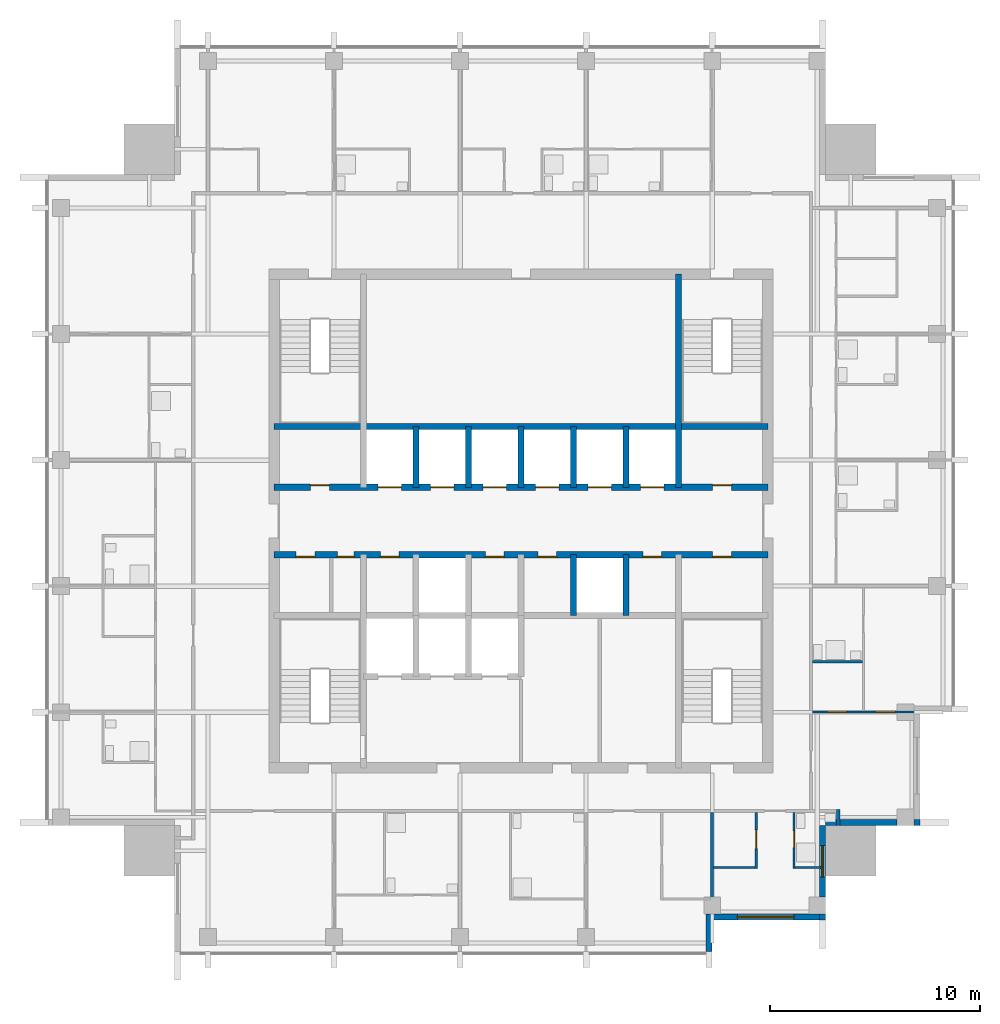
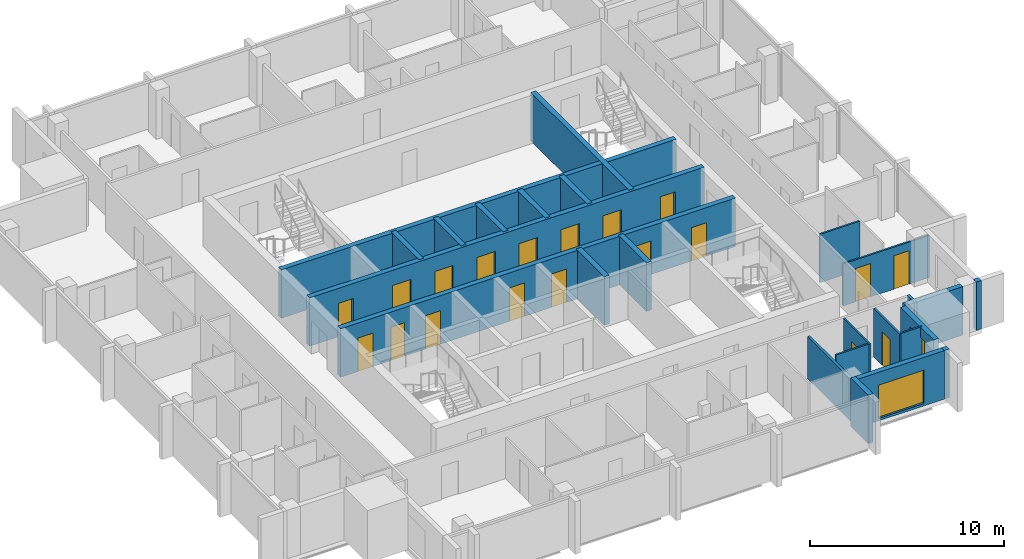
# One storey, part 5 of 9: 25 walls, 19 doors, 2 windows, 21 openings.
"""IFC4 building model written with IfcOpenShell, lengths in metres."""

from ifc_helpers import new_model, si_unit, direction, frame, frame_2d, origin, place, context, subcontext, project, spatial, rectangle, extrude, material, layer, layer_set, type_object, element, fill, save


model = new_model("IFC4")

# Units and contexts
model_context = context("Model", 3, precision=1e-05, world=origin(), true_north=direction((0.0, 1.0)))
body_context = subcontext(model_context, "Body", "Model", "MODEL_VIEW")
ifc_project = project(units=[si_unit("LENGTHUNIT", "METRE"), si_unit("AREAUNIT", "SQUARE_METRE"), si_unit("VOLUMEUNIT", "CUBIC_METRE"), si_unit("PLANEANGLEUNIT", "RADIAN"), si_unit("MASSUNIT", "GRAM", prefix="KILO")], contexts=[model_context])

# Site, building, storey
site_placement = place(None, origin())
site = spatial("IfcSite", under=ifc_project, at=site_placement, CompositionType="ELEMENT")
building_placement = place(site_placement, origin())
building = spatial("IfcBuilding", under=site, at=building_placement, Name="Amberfall Residences", CompositionType="ELEMENT")
storey_placement = place(building_placement, frame((0.0, 0.0, 262.0)))
storey = spatial("IfcBuildingStorey", under=building, at=storey_placement, Name="L70", CompositionType="ELEMENT", Elevation=262.0)

# Walls
ifc_material_1 = material(Name="Pale stone cladding on insulated backing", Category="masonry")
ifc_layer_1 = layer(ifc_material_1, 0.300048828125)
ifc_layer_set_1 = layer_set([ifc_layer_1], Name="Bronze clad wall 300")
wall_type_1 = type_object("IfcWallType", Name="Bronze clad wall 300", PredefinedType="SOLIDWALL", material=ifc_layer_set_1)
wall_1_placement = place(storey_placement, frame((83.449951171875, 25.0, 0.0), z_axis=(0.0, 0.0, 1.0), x_axis=(0.0, 1.0, 0.0)))
element("IfcWall", 1, at=wall_1_placement, inside=storey, type_object=wall_type_1, Name="External wall L70 S", PredefinedType="SOLIDWALL", context=body_context, shape_type="SweptSolid", body=[
    extrude(rectangle(XDim=1.800048828125, YDim=0.300048828125, at=frame_2d((0.89990234375, 0.0))), origin(), (0.0, 0.0, 1.0), 3.050048828125),
])
wall_2_placement = place(storey_placement, frame((88.85009765625, 26.5, 0.0), z_axis=(0.0, 0.0, 1.0), x_axis=(0.0, 1.0, 0.0)))
element("IfcWall", 2, at=wall_2_placement, inside=storey, type_object=wall_type_1, Name="External wall L70 SE", PredefinedType="SOLIDWALL", context=body_context, shape_type="SweptSolid", body=[
    extrude(rectangle(XDim=0.300048828125, YDim=0.300048828125, at=frame_2d((0.14990234375, 0.0))), origin(), (0.0, 0.0, 1.0), 3.050048828125),
])

# Wall, opening, window
wall_3_placement = place(storey_placement, frame((88.85009765625, 27.60009765625, 0.0), z_axis=(0.0, 0.0, 1.0), x_axis=(0.0, 1.0, 0.0)))
wall_3 = element("IfcWall", 3, at=wall_3_placement, inside=storey, type_object=wall_type_1, Name="External wall L70 SE", PredefinedType="SOLIDWALL", context=body_context, shape_type="SweptSolid", body=[
    extrude(rectangle(XDim=3.39990234375, YDim=0.300048828125, at=frame_2d((1.699951171875, 0.0))), origin(), (0.0, 0.0, 1.0), 3.050048828125),
])
opening_1_placement = place(wall_3_placement, frame((0.949951171875, 0.0, 0.89990234375)))
opening_1 = element("IfcOpeningElement", 4, at=opening_1_placement, cuts=wall_3, Name="Opening WN1", PredefinedType="OPENING", context=body_context, shape_type="SweptSolid", body=[
    extrude(rectangle(XDim=1.5, YDim=1.5, at=frame_2d((0.75, 0.75))), frame((0.0, 0.159912109375, 0.0), z_axis=(0.0, -1.0, 0.0), x_axis=(1.0, 0.0, 0.0)), (0.0, 0.0, 1.0), 0.320068359375),
])
ifc_material_2 = material(Name="Bronze aluminium framed glazing", Category="aluminium")
window_type_1 = type_object("IfcWindowType", Name="Window 1500 x 1500 bronze", PartitioningType="DOUBLE_PANEL_VERTICAL", PredefinedType="WINDOW", material=ifc_material_2)
window_1_placement = place(opening_1_placement, origin())
window_1 = element("IfcWindow", 5, at=window_1_placement, inside=storey, type_object=window_type_1, Name="Window L70 SE", OverallHeight=1.5, OverallWidth=1.5, PartitioningType="DOUBLE_PANEL_VERTICAL", PredefinedType="WINDOW", context=body_context, shape_type="SweptSolid", body=[
    extrude(rectangle(XDim=1.5, YDim=1.5, at=frame_2d((0.75, 0.75))), frame((0.0, 0.030029296875, 0.0), z_axis=(0.0, -1.0, 0.0), x_axis=(1.0, 0.0, 0.0)), (0.0, 0.0, 1.0), 0.06005859375),
])
fill(opening_1, window_1)

# Walls
wall_4_placement = place(storey_placement, frame((89.0, 31.14990234375, 0.0), z_axis=(0.0, 0.0, 1.0), x_axis=(1.0, 0.0, 0.0)))
element("IfcWall", 6, at=wall_4_placement, inside=storey, type_object=wall_type_1, Name="External wall L70 SE", PredefinedType="SOLIDWALL", context=body_context, shape_type="SweptSolid", body=[
    extrude(rectangle(XDim=3.39990234375, YDim=0.300048828125, at=frame_2d((1.699951171875, 0.0))), origin(), (0.0, 0.0, 1.0), 3.050048828125),
])
wall_5_placement = place(storey_placement, frame((93.199951171875, 31.14990234375, 0.0), z_axis=(0.0, 0.0, 1.0), x_axis=(1.0, 0.0, 0.0)))
element("IfcWall", 7, at=wall_5_placement, inside=storey, type_object=wall_type_1, Name="External wall L70 SE", PredefinedType="SOLIDWALL", context=body_context, shape_type="SweptSolid", body=[
    extrude(rectangle(XDim=0.300048828125, YDim=0.300048828125, at=frame_2d((0.14990234375, 0.0))), origin(), (0.0, 0.0, 1.0), 3.050048828125),
])

# Wall, opening, window
wall_6_placement = place(storey_placement, frame((83.60009765625, 26.64990234375, 0.0), z_axis=(0.0, 0.0, 1.0), x_axis=(1.0, 0.0, 0.0)))
wall_6 = element("IfcWall", 8, at=wall_6_placement, inside=storey, type_object=wall_type_1, Name="Stone wall L70 S", PredefinedType="SOLIDWALL", context=body_context, shape_type="SweptSolid", body=[
    extrude(rectangle(XDim=5.099853515625, YDim=0.300048828125, at=frame_2d((2.5498046875, 0.0))), origin(), (0.0, 0.0, 1.0), 3.050048828125),
])
opening_2_placement = place(wall_6_placement, frame((1.199951171875, 0.0, 0.14990234375)))
opening_2 = element("IfcOpeningElement", 9, at=opening_2_placement, cuts=wall_6, Name="Opening WN4", PredefinedType="OPENING", context=body_context, shape_type="SweptSolid", body=[
    extrude(rectangle(XDim=2.699951171875, YDim=2.10009765625, at=frame_2d((1.35009765625, 1.050048828125))), frame((0.0, 0.159912109375, 0.0), z_axis=(0.0, -1.0, 0.0), x_axis=(1.0, 0.0, 0.0)), (0.0, 0.0, 1.0), 0.320068359375),
])
window_type_2 = type_object("IfcWindowType", Name="Glazed opening 2700 x 2100 bronze", PartitioningType="DOUBLE_PANEL_VERTICAL", PredefinedType="WINDOW", material=ifc_material_2)
window_2_placement = place(opening_2_placement, origin())
window_2 = element("IfcWindow", 10, at=window_2_placement, inside=storey, type_object=window_type_2, Name="Window L70 S", OverallHeight=2.10009765625, OverallWidth=2.699951171875, PartitioningType="DOUBLE_PANEL_VERTICAL", PredefinedType="WINDOW", context=body_context, shape_type="SweptSolid", body=[
    extrude(rectangle(XDim=2.699951171875, YDim=2.10009765625, at=frame_2d((1.35009765625, 1.050048828125))), frame((0.0, 0.030029296875, 0.0), z_axis=(0.0, -1.0, 0.0), x_axis=(1.0, 0.0, 0.0)), (0.0, 0.0, 1.0), 0.06005859375),
])
fill(opening_2, window_2)

# Wall, openings, doors
ifc_material_3 = material(Name="Concrete C50", Category="concrete")
ifc_layer_2 = layer(ifc_material_3, 0.300048828125)
ifc_layer_set_2 = layer_set([ifc_layer_2], Name="Core wall 300 C50")
wall_type_2 = type_object("IfcWallType", Name="Core wall 300 C50", PredefinedType="SHEAR", material=ifc_layer_set_2)
wall_7_placement = place(storey_placement, frame((62.75, 43.89990234375, 0.0), z_axis=(0.0, 0.0, 1.0), x_axis=(1.0, 0.0, 0.0)))
wall_7 = element("IfcWall", 11, at=wall_7_placement, inside=storey, type_object=wall_type_2, Name="Core wall RW10 L70 H104", PredefinedType="SHEAR", context=body_context, shape_type="SweptSolid", body=[
    extrude(rectangle(XDim=23.5, YDim=0.300048828125, at=frame_2d((11.75, 0.0))), origin(), (0.0, 0.0, 1.0), 3.050048828125),
])
opening_3_placement = place(wall_7_placement, frame((1.031982421875, 0.0, 0.0)))
opening_3 = element("IfcOpeningElement", 12, at=opening_3_placement, cuts=wall_7, Name="Opening RD1", PredefinedType="OPENING", context=body_context, shape_type="SweptSolid", body=[
    extrude(rectangle(XDim=0.89990234375, YDim=2.10009765625, at=frame_2d((0.449951171875, 1.050048828125))), frame((0.0, 0.159912109375, 0.0), z_axis=(0.0, -1.0, 0.0), x_axis=(1.0, 0.0, 0.0)), (0.0, 0.0, 1.0), 0.320068359375),
])
opening_4_placement = place(wall_7_placement, frame((3.007080078125, 0.0, 0.0)))
opening_4 = element("IfcOpeningElement", 13, at=opening_4_placement, cuts=wall_7, Name="Opening RD2", PredefinedType="OPENING", context=body_context, shape_type="SweptSolid", body=[
    extrude(rectangle(XDim=0.800048828125, YDim=2.10009765625, at=frame_2d((0.39990234375, 1.050048828125))), frame((0.0, 0.159912109375, 0.0), z_axis=(0.0, -1.0, 0.0), x_axis=(1.0, 0.0, 0.0)), (0.0, 0.0, 1.0), 0.320068359375),
])
opening_5_placement = place(wall_7_placement, frame((20.875, 0.0, 0.0)))
opening_5 = element("IfcOpeningElement", 14, at=opening_5_placement, cuts=wall_7, Name="Opening RD1", PredefinedType="OPENING", context=body_context, shape_type="SweptSolid", body=[
    extrude(rectangle(XDim=0.89990234375, YDim=2.10009765625, at=frame_2d((0.449951171875, 1.050048828125))), frame((0.0, 0.159912109375, 0.0), z_axis=(0.0, -1.0, 0.0), x_axis=(1.0, 0.0, 0.0)), (0.0, 0.0, 1.0), 0.320068359375),
])
opening_6_placement = place(wall_7_placement, frame((5.050048828125, 0.0, 0.0)))
opening_6 = element("IfcOpeningElement", 15, at=opening_6_placement, cuts=wall_7, Name="Opening RD1", PredefinedType="OPENING", context=body_context, shape_type="SweptSolid", body=[
    extrude(rectangle(XDim=0.89990234375, YDim=2.10009765625, at=frame_2d((0.449951171875, 1.050048828125))), frame((0.0, 0.159912109375, 0.0), z_axis=(0.0, -1.0, 0.0), x_axis=(1.0, 0.0, 0.0)), (0.0, 0.0, 1.0), 0.320068359375),
])
opening_7_placement = place(wall_7_placement, frame((10.050048828125, 0.0, 0.0)))
opening_7 = element("IfcOpeningElement", 16, at=opening_7_placement, cuts=wall_7, Name="Opening RD1", PredefinedType="OPENING", context=body_context, shape_type="SweptSolid", body=[
    extrude(rectangle(XDim=0.89990234375, YDim=2.10009765625, at=frame_2d((0.449951171875, 1.050048828125))), frame((0.0, 0.159912109375, 0.0), z_axis=(0.0, -1.0, 0.0), x_axis=(1.0, 0.0, 0.0)), (0.0, 0.0, 1.0), 0.320068359375),
])
opening_8_placement = place(wall_7_placement, frame((12.550048828125, 0.0, 0.0)))
opening_8 = element("IfcOpeningElement", 17, at=opening_8_placement, cuts=wall_7, Name="Opening RD1", PredefinedType="OPENING", context=body_context, shape_type="SweptSolid", body=[
    extrude(rectangle(XDim=0.89990234375, YDim=2.10009765625, at=frame_2d((0.449951171875, 1.050048828125))), frame((0.0, 0.159912109375, 0.0), z_axis=(0.0, -1.0, 0.0), x_axis=(1.0, 0.0, 0.0)), (0.0, 0.0, 1.0), 0.320068359375),
])
opening_9_placement = place(wall_7_placement, frame((17.550048828125, 0.0, 0.0)))
opening_9 = element("IfcOpeningElement", 18, at=opening_9_placement, cuts=wall_7, Name="Opening RD1", PredefinedType="OPENING", context=body_context, shape_type="SweptSolid", body=[
    extrude(rectangle(XDim=0.89990234375, YDim=2.10009765625, at=frame_2d((0.449951171875, 1.050048828125))), frame((0.0, 0.159912109375, 0.0), z_axis=(0.0, -1.0, 0.0), x_axis=(1.0, 0.0, 0.0)), (0.0, 0.0, 1.0), 0.320068359375),
])
ifc_material_4 = material(Name="Steel fire door set", Category="steel")
door_type_1 = type_object("IfcDoorType", Name="Service room door 800 x 2100", OperationType="SINGLE_SWING_LEFT", PredefinedType="DOOR", material=ifc_material_4)
door_1_placement = place(opening_4_placement, origin())
door_1 = element("IfcDoor", 19, at=door_1_placement, inside=storey, type_object=door_type_1, Name="RD2 L70", OperationType="SINGLE_SWING_RIGHT", OverallHeight=2.10009765625, OverallWidth=0.800048828125, PredefinedType="DOOR", context=body_context, shape_type="SweptSolid", body=[
    extrude(rectangle(XDim=0.800048828125, YDim=2.10009765625, at=frame_2d((0.39990234375, 1.050048828125))), frame((0.0, -0.08740234375, 0.0), z_axis=(0.0, -1.0, 0.0), x_axis=(1.0, 0.0, 0.0)), (0.0, 0.0, 1.0), 0.050048828125),
])
fill(opening_4, door_1)
door_type_2 = type_object("IfcDoorType", Name="Service room door 900 x 2100", OperationType="SINGLE_SWING_LEFT", PredefinedType="DOOR", material=ifc_material_4)
door_2_placement = place(opening_3_placement, origin())
door_2 = element("IfcDoor", 20, at=door_2_placement, inside=storey, type_object=door_type_2, Name="RD1 L70", OperationType="SINGLE_SWING_LEFT", OverallHeight=2.10009765625, OverallWidth=0.89990234375, PredefinedType="DOOR", context=body_context, shape_type="SweptSolid", body=[
    extrude(rectangle(XDim=0.89990234375, YDim=2.10009765625, at=frame_2d((0.449951171875, 1.050048828125))), frame((0.0, -0.08740234375, 0.0), z_axis=(0.0, -1.0, 0.0), x_axis=(1.0, 0.0, 0.0)), (0.0, 0.0, 1.0), 0.050048828125),
])
fill(opening_3, door_2)
door_3_placement = place(opening_5_placement, origin())
door_3 = element("IfcDoor", 21, at=door_3_placement, inside=storey, type_object=door_type_2, Name="RD1 L70", OperationType="SINGLE_SWING_LEFT", OverallHeight=2.10009765625, OverallWidth=0.89990234375, PredefinedType="DOOR", context=body_context, shape_type="SweptSolid", body=[
    extrude(rectangle(XDim=0.89990234375, YDim=2.10009765625, at=frame_2d((0.449951171875, 1.050048828125))), frame((0.0, -0.08740234375, 0.0), z_axis=(0.0, -1.0, 0.0), x_axis=(1.0, 0.0, 0.0)), (0.0, 0.0, 1.0), 0.050048828125),
])
fill(opening_5, door_3)
door_4_placement = place(opening_6_placement, origin())
door_4 = element("IfcDoor", 22, at=door_4_placement, inside=storey, type_object=door_type_2, Name="RD1 L70", OperationType="SINGLE_SWING_RIGHT", OverallHeight=2.10009765625, OverallWidth=0.89990234375, PredefinedType="DOOR", context=body_context, shape_type="SweptSolid", body=[
    extrude(rectangle(XDim=0.89990234375, YDim=2.10009765625, at=frame_2d((0.449951171875, 1.050048828125))), frame((0.0, -0.08740234375, 0.0), z_axis=(0.0, -1.0, 0.0), x_axis=(1.0, 0.0, 0.0)), (0.0, 0.0, 1.0), 0.050048828125),
])
fill(opening_6, door_4)
door_5_placement = place(opening_7_placement, origin())
door_5 = element("IfcDoor", 23, at=door_5_placement, inside=storey, type_object=door_type_2, Name="RD1 L70", OperationType="SINGLE_SWING_RIGHT", OverallHeight=2.10009765625, OverallWidth=0.89990234375, PredefinedType="DOOR", context=body_context, shape_type="SweptSolid", body=[
    extrude(rectangle(XDim=0.89990234375, YDim=2.10009765625, at=frame_2d((0.449951171875, 1.050048828125))), frame((0.0, -0.08740234375, 0.0), z_axis=(0.0, -1.0, 0.0), x_axis=(1.0, 0.0, 0.0)), (0.0, 0.0, 1.0), 0.050048828125),
])
fill(opening_7, door_5)
door_6_placement = place(opening_8_placement, origin())
door_6 = element("IfcDoor", 24, at=door_6_placement, inside=storey, type_object=door_type_2, Name="RD1 L70", OperationType="SINGLE_SWING_LEFT", OverallHeight=2.10009765625, OverallWidth=0.89990234375, PredefinedType="DOOR", context=body_context, shape_type="SweptSolid", body=[
    extrude(rectangle(XDim=0.89990234375, YDim=2.10009765625, at=frame_2d((0.449951171875, 1.050048828125))), frame((0.0, -0.08740234375, 0.0), z_axis=(0.0, -1.0, 0.0), x_axis=(1.0, 0.0, 0.0)), (0.0, 0.0, 1.0), 0.050048828125),
])
fill(opening_8, door_6)
door_7_placement = place(opening_9_placement, origin())
door_7 = element("IfcDoor", 25, at=door_7_placement, inside=storey, type_object=door_type_2, Name="RD1 L70", OperationType="SINGLE_SWING_LEFT", OverallHeight=2.10009765625, OverallWidth=0.89990234375, PredefinedType="DOOR", context=body_context, shape_type="SweptSolid", body=[
    extrude(rectangle(XDim=0.89990234375, YDim=2.10009765625, at=frame_2d((0.449951171875, 1.050048828125))), frame((0.0, -0.08740234375, 0.0), z_axis=(0.0, -1.0, 0.0), x_axis=(1.0, 0.0, 0.0)), (0.0, 0.0, 1.0), 0.050048828125),
])
fill(opening_9, door_7)

wall_8_placement = place(storey_placement, frame((62.75, 47.10009765625, 0.0), z_axis=(0.0, 0.0, 1.0), x_axis=(1.0, 0.0, 0.0)))
wall_8 = element("IfcWall", 26, at=wall_8_placement, inside=storey, type_object=wall_type_2, Name="Core wall RW10 L70 H136", PredefinedType="SHEAR", context=body_context, shape_type="SweptSolid", body=[
    extrude(rectangle(XDim=23.5, YDim=0.300048828125, at=frame_2d((11.75, 0.0))), origin(), (0.0, 0.0, 1.0), 3.050048828125),
])
opening_10_placement = place(wall_8_placement, frame((1.72509765625, 0.0, 0.0)))
opening_10 = element("IfcOpeningElement", 27, at=opening_10_placement, cuts=wall_8, Name="Opening RD1", PredefinedType="OPENING", context=body_context, shape_type="SweptSolid", body=[
    extrude(rectangle(XDim=0.89990234375, YDim=2.10009765625, at=frame_2d((0.449951171875, 1.050048828125))), frame((0.0, 0.159912109375, 0.0), z_axis=(0.0, -1.0, 0.0), x_axis=(1.0, 0.0, 0.0)), (0.0, 0.0, 1.0), 0.320068359375),
])
opening_11_placement = place(wall_8_placement, frame((20.875, 0.0, 0.0)))
opening_11 = element("IfcOpeningElement", 28, at=opening_11_placement, cuts=wall_8, Name="Opening RD1", PredefinedType="OPENING", context=body_context, shape_type="SweptSolid", body=[
    extrude(rectangle(XDim=0.89990234375, YDim=2.10009765625, at=frame_2d((0.449951171875, 1.050048828125))), frame((0.0, 0.159912109375, 0.0), z_axis=(0.0, -1.0, 0.0), x_axis=(1.0, 0.0, 0.0)), (0.0, 0.0, 1.0), 0.320068359375),
])
opening_12_placement = place(wall_8_placement, frame((4.949951171875, 0.0, 0.0)))
opening_12 = element("IfcOpeningElement", 29, at=opening_12_placement, cuts=wall_8, Name="Opening LD1", PredefinedType="OPENING", context=body_context, shape_type="SweptSolid", body=[
    extrude(rectangle(XDim=1.10009765625, YDim=2.10009765625, at=frame_2d((0.550048828125, 1.050048828125))), frame((0.0, 0.159912109375, 0.0), z_axis=(0.0, -1.0, 0.0), x_axis=(1.0, 0.0, 0.0)), (0.0, 0.0, 1.0), 0.320068359375),
])
opening_13_placement = place(wall_8_placement, frame((7.449951171875, 0.0, 0.0)))
opening_13 = element("IfcOpeningElement", 30, at=opening_13_placement, cuts=wall_8, Name="Opening LD1", PredefinedType="OPENING", context=body_context, shape_type="SweptSolid", body=[
    extrude(rectangle(XDim=1.10009765625, YDim=2.10009765625, at=frame_2d((0.550048828125, 1.050048828125))), frame((0.0, 0.159912109375, 0.0), z_axis=(0.0, -1.0, 0.0), x_axis=(1.0, 0.0, 0.0)), (0.0, 0.0, 1.0), 0.320068359375),
])
opening_14_placement = place(wall_8_placement, frame((9.949951171875, 0.0, 0.0)))
opening_14 = element("IfcOpeningElement", 31, at=opening_14_placement, cuts=wall_8, Name="Opening LD1", PredefinedType="OPENING", context=body_context, shape_type="SweptSolid", body=[
    extrude(rectangle(XDim=1.10009765625, YDim=2.10009765625, at=frame_2d((0.550048828125, 1.050048828125))), frame((0.0, 0.159912109375, 0.0), z_axis=(0.0, -1.0, 0.0), x_axis=(1.0, 0.0, 0.0)), (0.0, 0.0, 1.0), 0.320068359375),
])
opening_15_placement = place(wall_8_placement, frame((12.449951171875, 0.0, 0.0)))
opening_15 = element("IfcOpeningElement", 32, at=opening_15_placement, cuts=wall_8, Name="Opening LD1", PredefinedType="OPENING", context=body_context, shape_type="SweptSolid", body=[
    extrude(rectangle(XDim=1.10009765625, YDim=2.10009765625, at=frame_2d((0.550048828125, 1.050048828125))), frame((0.0, 0.159912109375, 0.0), z_axis=(0.0, -1.0, 0.0), x_axis=(1.0, 0.0, 0.0)), (0.0, 0.0, 1.0), 0.320068359375),
])
opening_16_placement = place(wall_8_placement, frame((14.949951171875, 0.0, 0.0)))
opening_16 = element("IfcOpeningElement", 33, at=opening_16_placement, cuts=wall_8, Name="Opening LD1", PredefinedType="OPENING", context=body_context, shape_type="SweptSolid", body=[
    extrude(rectangle(XDim=1.10009765625, YDim=2.10009765625, at=frame_2d((0.550048828125, 1.050048828125))), frame((0.0, 0.159912109375, 0.0), z_axis=(0.0, -1.0, 0.0), x_axis=(1.0, 0.0, 0.0)), (0.0, 0.0, 1.0), 0.320068359375),
])
opening_17_placement = place(wall_8_placement, frame((17.449951171875, 0.0, 0.0)))
opening_17 = element("IfcOpeningElement", 34, at=opening_17_placement, cuts=wall_8, Name="Opening LD1", PredefinedType="OPENING", context=body_context, shape_type="SweptSolid", body=[
    extrude(rectangle(XDim=1.10009765625, YDim=2.10009765625, at=frame_2d((0.550048828125, 1.050048828125))), frame((0.0, 0.159912109375, 0.0), z_axis=(0.0, -1.0, 0.0), x_axis=(1.0, 0.0, 0.0)), (0.0, 0.0, 1.0), 0.320068359375),
])
door_type_3 = type_object("IfcDoorType", Name="Lift landing door 1100 x 2100", OperationType="DOUBLE_DOOR_SLIDING", PredefinedType="DOOR", material=ifc_material_4)
door_8_placement = place(opening_12_placement, origin())
door_8 = element("IfcDoor", 35, at=door_8_placement, inside=storey, type_object=door_type_3, Name="Landing door HP1 L70", OperationType="DOUBLE_DOOR_SLIDING", OverallHeight=2.10009765625, OverallWidth=1.10009765625, PredefinedType="DOOR", context=body_context, shape_type="SweptSolid", body=[
    extrude(rectangle(XDim=1.10009765625, YDim=2.10009765625, at=frame_2d((0.550048828125, 1.050048828125))), frame((0.0, 0.02490234375, 0.0), z_axis=(0.0, -1.0, 0.0), x_axis=(1.0, 0.0, 0.0)), (0.0, 0.0, 1.0), 0.050048828125),
])
fill(opening_12, door_8)
door_9_placement = place(opening_13_placement, origin())
door_9 = element("IfcDoor", 36, at=door_9_placement, inside=storey, type_object=door_type_3, Name="Landing door HP2 L70", OperationType="DOUBLE_DOOR_SLIDING", OverallHeight=2.10009765625, OverallWidth=1.10009765625, PredefinedType="DOOR", context=body_context, shape_type="SweptSolid", body=[
    extrude(rectangle(XDim=1.10009765625, YDim=2.10009765625, at=frame_2d((0.550048828125, 1.050048828125))), frame((0.0, 0.02490234375, 0.0), z_axis=(0.0, -1.0, 0.0), x_axis=(1.0, 0.0, 0.0)), (0.0, 0.0, 1.0), 0.050048828125),
])
fill(opening_13, door_9)
door_10_placement = place(opening_14_placement, origin())
door_10 = element("IfcDoor", 37, at=door_10_placement, inside=storey, type_object=door_type_3, Name="Landing door HP3 L70", OperationType="DOUBLE_DOOR_SLIDING", OverallHeight=2.10009765625, OverallWidth=1.10009765625, PredefinedType="DOOR", context=body_context, shape_type="SweptSolid", body=[
    extrude(rectangle(XDim=1.10009765625, YDim=2.10009765625, at=frame_2d((0.550048828125, 1.050048828125))), frame((0.0, 0.02490234375, 0.0), z_axis=(0.0, -1.0, 0.0), x_axis=(1.0, 0.0, 0.0)), (0.0, 0.0, 1.0), 0.050048828125),
])
fill(opening_14, door_10)
door_11_placement = place(opening_15_placement, origin())
door_11 = element("IfcDoor", 38, at=door_11_placement, inside=storey, type_object=door_type_3, Name="Landing door HP4 L70", OperationType="DOUBLE_DOOR_SLIDING", OverallHeight=2.10009765625, OverallWidth=1.10009765625, PredefinedType="DOOR", context=body_context, shape_type="SweptSolid", body=[
    extrude(rectangle(XDim=1.10009765625, YDim=2.10009765625, at=frame_2d((0.550048828125, 1.050048828125))), frame((0.0, 0.02490234375, 0.0), z_axis=(0.0, -1.0, 0.0), x_axis=(1.0, 0.0, 0.0)), (0.0, 0.0, 1.0), 0.050048828125),
])
fill(opening_15, door_11)
door_12_placement = place(opening_16_placement, origin())
door_12 = element("IfcDoor", 39, at=door_12_placement, inside=storey, type_object=door_type_3, Name="Landing door HP5 L70", OperationType="DOUBLE_DOOR_SLIDING", OverallHeight=2.10009765625, OverallWidth=1.10009765625, PredefinedType="DOOR", context=body_context, shape_type="SweptSolid", body=[
    extrude(rectangle(XDim=1.10009765625, YDim=2.10009765625, at=frame_2d((0.550048828125, 1.050048828125))), frame((0.0, 0.02490234375, 0.0), z_axis=(0.0, -1.0, 0.0), x_axis=(1.0, 0.0, 0.0)), (0.0, 0.0, 1.0), 0.050048828125),
])
fill(opening_16, door_12)
door_13_placement = place(opening_17_placement, origin())
door_13 = element("IfcDoor", 40, at=door_13_placement, inside=storey, type_object=door_type_3, Name="Landing door HP6 L70", OperationType="DOUBLE_DOOR_SLIDING", OverallHeight=2.10009765625, OverallWidth=1.10009765625, PredefinedType="DOOR", context=body_context, shape_type="SweptSolid", body=[
    extrude(rectangle(XDim=1.10009765625, YDim=2.10009765625, at=frame_2d((0.550048828125, 1.050048828125))), frame((0.0, 0.02490234375, 0.0), z_axis=(0.0, -1.0, 0.0), x_axis=(1.0, 0.0, 0.0)), (0.0, 0.0, 1.0), 0.050048828125),
])
fill(opening_17, door_13)
door_14_placement = place(opening_10_placement, origin())
door_14 = element("IfcDoor", 41, at=door_14_placement, inside=storey, type_object=door_type_2, Name="RD1 L70", OperationType="SINGLE_SWING_LEFT", OverallHeight=2.10009765625, OverallWidth=0.89990234375, PredefinedType="DOOR", context=body_context, shape_type="SweptSolid", body=[
    extrude(rectangle(XDim=0.89990234375, YDim=2.10009765625, at=frame_2d((0.449951171875, 1.050048828125))), frame((0.0, 0.1376953125, 0.0), z_axis=(0.0, -1.0, 0.0), x_axis=(1.0, 0.0, 0.0)), (0.0, 0.0, 1.0), 0.050048828125),
])
fill(opening_10, door_14)
door_15_placement = place(opening_11_placement, origin())
door_15 = element("IfcDoor", 42, at=door_15_placement, inside=storey, type_object=door_type_2, Name="RD1 L70", OperationType="SINGLE_SWING_LEFT", OverallHeight=2.10009765625, OverallWidth=0.89990234375, PredefinedType="DOOR", context=body_context, shape_type="SweptSolid", body=[
    extrude(rectangle(XDim=0.89990234375, YDim=2.10009765625, at=frame_2d((0.449951171875, 1.050048828125))), frame((0.0, 0.1376953125, 0.0), z_axis=(0.0, -1.0, 0.0), x_axis=(1.0, 0.0, 0.0)), (0.0, 0.0, 1.0), 0.050048828125),
])
fill(opening_11, door_15)

# Walls
wall_9_placement = place(storey_placement, frame((62.75, 50.0, 0.0), z_axis=(0.0, 0.0, 1.0), x_axis=(1.0, 0.0, 0.0)))
element("IfcWall", 43, at=wall_9_placement, inside=storey, type_object=wall_type_2, Name="Core wall RW10 L70 H165", PredefinedType="SHEAR", context=body_context, shape_type="SweptSolid", body=[
    extrude(rectangle(XDim=23.5, YDim=0.300048828125, at=frame_2d((11.75, 0.0))), origin(), (0.0, 0.0, 1.0), 3.050048828125),
])
wall_10_placement = place(storey_placement, frame((82.0, 47.10009765625, 0.0), z_axis=(0.0, 0.0, 1.0), x_axis=(0.0, 1.0, 0.0)))
element("IfcWall", 44, at=wall_10_placement, inside=storey, type_object=wall_type_2, Name="Core wall RW10 L70 V195N", PredefinedType="SHEAR", context=body_context, shape_type="SweptSolid", body=[
    extrude(rectangle(XDim=10.14990234375, YDim=0.300048828125, at=frame_2d((5.074951171875, 0.0))), origin(), (0.0, 0.0, 1.0), 3.050048828125),
])
for number, where, z_axis, x_axis, name in (
    (45, (69.5, 47.10009765625, 0.0), (0.0, 0.0, 1.0), (0.0, 1.0, 0.0), "Core wall RW10 L70 HPD1"),
    (46, (72.0, 47.10009765625, 0.0), (0.0, 0.0, 1.0), (0.0, 1.0, 0.0), "Core wall RW10 L70 HPD2"),
    (47, (74.5, 47.10009765625, 0.0), (0.0, 0.0, 1.0), (0.0, 1.0, 0.0), "Core wall RW10 L70 HPD3"),
    (48, (77.0, 41.0, 0.0), (0.0, 0.0, 1.0), (0.0, 1.0, 0.0), "Core wall RW10 L70 LPD4"),
    (49, (77.0, 47.10009765625, 0.0), (0.0, 0.0, 1.0), (0.0, 1.0, 0.0), "Core wall RW10 L70 HPD4"),
    (50, (79.5, 41.0, 0.0), (0.0, 0.0, 1.0), (0.0, 1.0, 0.0), "Core wall RW10 L70 LPD5"),
    (51, (79.5, 47.10009765625, 0.0), (0.0, 0.0, 1.0), (0.0, 1.0, 0.0), "Core wall RW10 L70 HPD5"),
):
    element("IfcWall", number, at=place(storey_placement, frame(where, z_axis=z_axis, x_axis=x_axis)), inside=storey, type_object=wall_type_2, Name=name, PredefinedType="SHEAR", context=body_context, shape_type="SweptSolid", body=[
        extrude(rectangle(XDim=2.89990234375, YDim=0.300048828125, at=frame_2d((1.449951171875, 0.0))), origin(), (0.0, 0.0, 1.0), 3.050048828125),
    ])

# Wall, opening, door
ifc_material_5 = material(Name="Gypsum board on metal stud")
ifc_layer_3 = layer(ifc_material_5, 0.10009765625)
ifc_layer_set_3 = layer_set([ifc_layer_3], Name="Flat partition 100")
wall_type_3 = type_object("IfcWallType", Name="Flat partition 100", PredefinedType="PARTITIONING", material=ifc_layer_set_3)
wall_11_placement = place(storey_placement, frame((85.699951171875, 28.949951171875, 0.0), z_axis=(0.0, 0.0, 1.0), x_axis=(0.0, 1.0, 0.0)))
wall_11 = element("IfcWall", 52, at=wall_11_placement, inside=storey, type_object=wall_type_3, Name="Partition 017", PredefinedType="PARTITIONING", context=body_context, shape_type="SweptSolid", body=[
    extrude(rectangle(XDim=2.675048828125, YDim=0.10009765625, at=frame_2d((1.33740234375, 0.0))), origin(), (0.0, 0.0, 1.0), 3.050048828125),
])
opening_18_placement = place(wall_11_placement, frame((0.949951171875, 0.0, 0.0)))
opening_18 = element("IfcOpeningElement", 53, at=opening_18_placement, cuts=wall_11, Name="Opening D41", PredefinedType="OPENING", context=body_context, shape_type="SweptSolid", body=[
    extrude(rectangle(XDim=0.89990234375, YDim=2.10009765625, at=frame_2d((0.449951171875, 1.050048828125))), frame((0.0, 0.06005859375, 0.0), z_axis=(0.0, -1.0, 0.0), x_axis=(1.0, 0.0, 0.0)), (0.0, 0.0, 1.0), 0.1201171875),
])
ifc_material_6 = material(Name="Timber", Category="wood")
door_type_4 = type_object("IfcDoorType", Name="Internal door 900 x 2100", OperationType="SINGLE_SWING_LEFT", PredefinedType="DOOR", material=ifc_material_6)
door_16_placement = place(opening_18_placement, origin())
door_16 = element("IfcDoor", 54, at=door_16_placement, inside=storey, type_object=door_type_4, Name="Door 7003 kitchen", OperationType="SINGLE_SWING_LEFT", OverallHeight=2.10009765625, OverallWidth=0.89990234375, PredefinedType="DOOR", context=body_context, shape_type="SweptSolid", body=[
    extrude(rectangle(XDim=0.89990234375, YDim=2.10009765625, at=frame_2d((0.449951171875, 1.050048828125))), frame((0.0, 0.02490234375, 0.0), z_axis=(0.0, -1.0, 0.0), x_axis=(1.0, 0.0, 0.0)), (0.0, 0.0, 1.0), 0.050048828125),
])
fill(opening_18, door_16)

wall_12_placement = place(storey_placement, frame((87.5, 31.625, 0.0), z_axis=(0.0, 0.0, 1.0), x_axis=(0.0, -1.0, 0.0)))
wall_12 = element("IfcWall", 55, at=wall_12_placement, inside=storey, type_object=wall_type_3, Name="Partition 018", PredefinedType="PARTITIONING", context=body_context, shape_type="SweptSolid", body=[
    extrude(rectangle(XDim=2.675048828125, YDim=0.10009765625, at=frame_2d((1.33740234375, 0.0))), origin(), (0.0, 0.0, 1.0), 3.050048828125),
])
opening_19_placement = place(wall_12_placement, frame((0.875, 0.0, 0.0)))
opening_19 = element("IfcOpeningElement", 56, at=opening_19_placement, cuts=wall_12, Name="Opening D42", PredefinedType="OPENING", context=body_context, shape_type="SweptSolid", body=[
    extrude(rectangle(XDim=0.800048828125, YDim=2.10009765625, at=frame_2d((0.39990234375, 1.050048828125))), frame((0.0, 0.06005859375, 0.0), z_axis=(0.0, -1.0, 0.0), x_axis=(1.0, 0.0, 0.0)), (0.0, 0.0, 1.0), 0.1201171875),
])
door_type_5 = type_object("IfcDoorType", Name="Bathroom door 800 x 2100", OperationType="SINGLE_SWING_LEFT", PredefinedType="DOOR", material=ifc_material_6)
door_17_placement = place(opening_19_placement, origin())
door_17 = element("IfcDoor", 57, at=door_17_placement, inside=storey, type_object=door_type_5, Name="Door 7003 bath1", OperationType="SINGLE_SWING_LEFT", OverallHeight=2.10009765625, OverallWidth=0.800048828125, PredefinedType="DOOR", context=body_context, shape_type="SweptSolid", body=[
    extrude(rectangle(XDim=0.800048828125, YDim=2.10009765625, at=frame_2d((0.39990234375, 1.050048828125))), frame((0.0, 0.02490234375, 0.0), z_axis=(0.0, -1.0, 0.0), x_axis=(1.0, 0.0, 0.0)), (0.0, 0.0, 1.0), 0.050048828125),
])
fill(opening_19, door_17)

# Wall
wall_13_placement = place(storey_placement, frame((88.375, 38.800048828125, 0.0), z_axis=(0.0, 0.0, 1.0), x_axis=(1.0, 0.0, 0.0)))
element("IfcWall", 58, at=wall_13_placement, inside=storey, type_object=wall_type_3, Name="Partition 039", PredefinedType="PARTITIONING", context=body_context, shape_type="SweptSolid", body=[
    extrude(rectangle(XDim=2.375, YDim=0.10009765625, at=frame_2d((1.1875, 0.0))), origin(), (0.0, 0.0, 1.0), 3.050048828125),
])

# Wall, openings, doors
wall_14_placement = place(storey_placement, frame((88.375, 36.39990234375, 0.0), z_axis=(0.0, 0.0, 1.0), x_axis=(1.0, 0.0, 0.0)))
wall_14 = element("IfcWall", 59, at=wall_14_placement, inside=storey, type_object=wall_type_3, Name="Partition 041", PredefinedType="PARTITIONING", context=body_context, shape_type="SweptSolid", body=[
    extrude(rectangle(XDim=5.125, YDim=0.10009765625, at=frame_2d((2.5625, 0.0))), origin(), (0.0, 0.0, 1.0), 2.64697265625),
])
opening_20_placement = place(wall_14_placement, frame((0.72509765625, 0.0, 0.0)))
opening_20 = element("IfcOpeningElement", 60, at=opening_20_placement, cuts=wall_14, Name="Opening D41", PredefinedType="OPENING", context=body_context, shape_type="SweptSolid", body=[
    extrude(rectangle(XDim=0.89990234375, YDim=2.10009765625, at=frame_2d((0.449951171875, 1.050048828125))), frame((0.0, 0.06005859375, 0.0), z_axis=(0.0, -1.0, 0.0), x_axis=(1.0, 0.0, 0.0)), (0.0, 0.0, 1.0), 0.1201171875),
])
opening_21_placement = place(wall_14_placement, frame((3.02490234375, 0.0, 0.0)))
opening_21 = element("IfcOpeningElement", 61, at=opening_21_placement, cuts=wall_14, Name="Opening D41", PredefinedType="OPENING", context=body_context, shape_type="SweptSolid", body=[
    extrude(rectangle(XDim=0.89990234375, YDim=2.10009765625, at=frame_2d((0.449951171875, 1.050048828125))), frame((0.0, 0.06005859375, 0.0), z_axis=(0.0, -1.0, 0.0), x_axis=(1.0, 0.0, 0.0)), (0.0, 0.0, 1.0), 0.1201171875),
])
door_18_placement = place(opening_20_placement, origin())
door_18 = element("IfcDoor", 62, at=door_18_placement, inside=storey, type_object=door_type_4, Name="Door 7004 kitchen", OperationType="SINGLE_SWING_LEFT", OverallHeight=2.10009765625, OverallWidth=0.89990234375, PredefinedType="DOOR", context=body_context, shape_type="SweptSolid", body=[
    extrude(rectangle(XDim=0.89990234375, YDim=2.10009765625, at=frame_2d((0.449951171875, 1.050048828125))), frame((0.0, 0.02490234375, 0.0), z_axis=(0.0, -1.0, 0.0), x_axis=(1.0, 0.0, 0.0)), (0.0, 0.0, 1.0), 0.050048828125),
])
fill(opening_20, door_18)
door_19_placement = place(opening_21_placement, origin())
door_19 = element("IfcDoor", 63, at=door_19_placement, inside=storey, type_object=door_type_4, Name="Door 7004 bedroom1", OperationType="SINGLE_SWING_LEFT", OverallHeight=2.10009765625, OverallWidth=0.89990234375, PredefinedType="DOOR", context=body_context, shape_type="SweptSolid", body=[
    extrude(rectangle(XDim=0.89990234375, YDim=2.10009765625, at=frame_2d((0.449951171875, 1.050048828125))), frame((0.0, 0.02490234375, 0.0), z_axis=(0.0, -1.0, 0.0), x_axis=(1.0, 0.0, 0.0)), (0.0, 0.0, 1.0), 0.050048828125),
])
fill(opening_21, door_19)

# Walls
wall_15_placement = place(storey_placement, frame((83.675048828125, 29.0, 0.0), z_axis=(0.0, 0.0, 1.0), x_axis=(1.0, 0.0, 0.0)))
element("IfcWall", 64, at=wall_15_placement, inside=storey, type_object=wall_type_3, Name="Partition 044", PredefinedType="PARTITIONING", context=body_context, shape_type="SweptSolid", body=[
    extrude(rectangle(XDim=1.974853515625, YDim=0.10009765625, at=frame_2d((0.9873046875, 0.0))), origin(), (0.0, 0.0, 1.0), 3.050048828125),
])
wall_16_placement = place(storey_placement, frame((87.550048828125, 29.0, 0.0), z_axis=(0.0, 0.0, 1.0), x_axis=(1.0, 0.0, 0.0)))
element("IfcWall", 65, at=wall_16_placement, inside=storey, type_object=wall_type_3, Name="Partition 045", PredefinedType="PARTITIONING", context=body_context, shape_type="SweptSolid", body=[
    extrude(rectangle(XDim=1.25, YDim=0.10009765625, at=frame_2d((0.625, 0.0))), origin(), (0.0, 0.0, 1.0), 3.050048828125),
])
ifc_material_7 = material(Name="Blockwork, plastered", Category="masonry")
ifc_layer_4 = layer(ifc_material_7, 0.14990234375)
ifc_layer_set_4 = layer_set([ifc_layer_4], Name="Flat separating wall 150")
wall_type_4 = type_object("IfcWallType", Name="Flat separating wall 150", PredefinedType="PARTITIONING", material=ifc_layer_set_4)
wall_17_placement = place(storey_placement, frame((83.60009765625, 26.5, 0.0), z_axis=(0.0, 0.0, 1.0), x_axis=(0.0, 1.0, 0.0)))
element("IfcWall", 66, at=wall_17_placement, inside=storey, type_object=wall_type_4, Name="Separating wall 054", PredefinedType="PARTITIONING", context=body_context, shape_type="SweptSolid", body=[
    extrude(rectangle(XDim=5.125, YDim=0.14990234375, at=frame_2d((2.5625, 0.0))), origin(), (0.0, 0.0, 1.0), 2.64697265625),
])
wall_18_placement = place(storey_placement, frame((89.60009765625, 31.0, 0.0), z_axis=(0.0, 0.0, 1.0), x_axis=(0.0, 1.0, 0.0)))
element("IfcWall", 67, at=wall_18_placement, inside=storey, type_object=wall_type_4, Name="Separating wall 056", PredefinedType="PARTITIONING", context=body_context, shape_type="SweptSolid", body=[
    extrude(rectangle(XDim=0.77490234375, YDim=0.14990234375, at=frame_2d((0.387451171875, 0.0))), origin(), (0.0, 0.0, 1.0), 3.050048828125),
])

save(model, "model.ifc")
